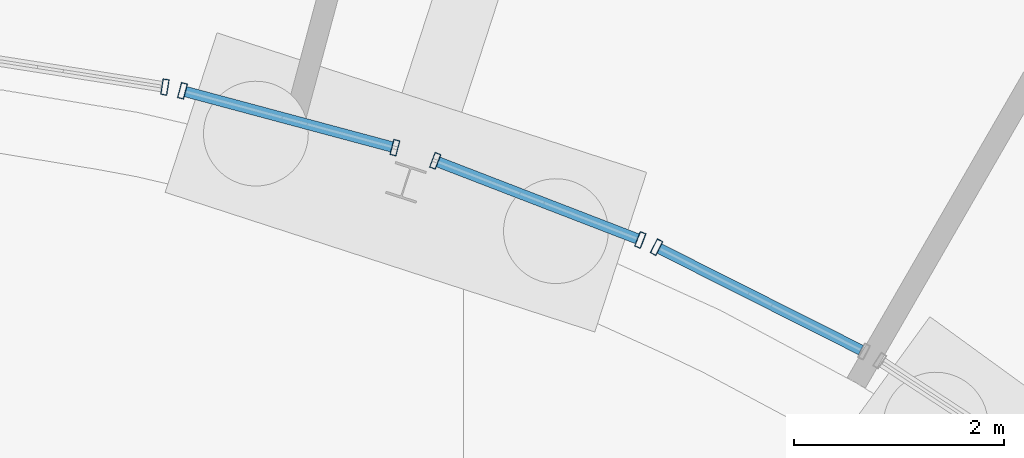
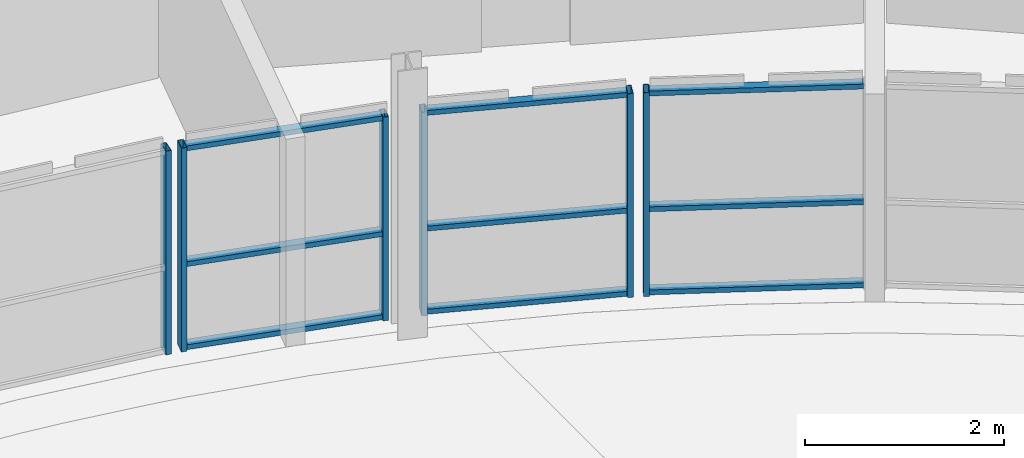
# One storey, part 65 of 130: 15 members, 4 elements without a shape of their own.
"""IFC4 building model written with IfcOpenShell, lengths in metres."""

from ifc_helpers import new_model, si_unit, direction, frame, origin, origin_2d, place, context, subcontext, project, spatial, hollow_rectangle, extrude, material, material_profile, profile_set, type_object, element, aggregate, save


model = new_model("IFC4")

# Units and contexts
model_context = context("Model", 3, precision=1e-05, world=origin(), true_north=direction((0.0, 1.0)))
body_context = subcontext(model_context, "Body", "Model", "MODEL_VIEW")
ifc_project = project(units=[si_unit("LENGTHUNIT", "METRE"), si_unit("AREAUNIT", "SQUARE_METRE"), si_unit("VOLUMEUNIT", "CUBIC_METRE"), si_unit("PLANEANGLEUNIT", "RADIAN"), si_unit("MASSUNIT", "GRAM", prefix="KILO")], contexts=[model_context])

# Site, building, storey
site_placement = place(None, origin())
site = spatial("IfcSite", under=ifc_project, at=site_placement, CompositionType="ELEMENT")
building_placement = place(site_placement, origin())
building = spatial("IfcBuilding", under=site, at=building_placement, Name="Parallax Yard Mobility Hub", CompositionType="ELEMENT")
storey_placement = place(building_placement, origin())
storey = spatial("IfcBuildingStorey", under=building, at=storey_placement, Name="L00", CompositionType="ELEMENT", Elevation=0.0)

# Curtain wall, member
ifc_material_1 = material(Name="Aluminium and glass curtain wall", Category="aluminium")
curtain_wall_type = type_object("IfcCurtainWallType", Name="Curtain wall, aluminium stick system", PredefinedType="NOTDEFINED", material=ifc_material_1)
curtain_wall_1_placement = place(storey_placement, origin())
curtain_wall_1 = element("IfcCurtainWall", 1, at=curtain_wall_1_placement, inside=storey, type_object=curtain_wall_type, Name="Curtain wall CW25 level L00 bay 18.2", PredefinedType="NOTDEFINED")
ifc_material_2 = material(Name="Aluminium 6063-T6 anodised", Category="aluminium")
ifc_material_profile_1 = material_profile(ifc_material_2, hollow_rectangle(XDim=0.14990234375, YDim=0.06005859375, WallThickness=0.00390625, at=origin_2d()), Name="RHS 60x150x4")
ifc_profile_set_1 = profile_set([ifc_material_profile_1], Name="Aluminium 6063-T6 anodised")
member_type_1 = type_object("IfcMemberType", Name="Curtain wall mullion RHS 60x150x4", PredefinedType="MULLION", material=ifc_profile_set_1)
member_1_placement = place(storey_placement, frame((177.1533203125, 112.30810546875, 0.0), z_axis=(0.0, 0.0, 1.0), x_axis=(0.154806174785, 0.987944860935, 0.0)))
member_1 = element("IfcMember", 2, at=member_1_placement, type_object=member_type_1, Name="CW25 mullion 2", PredefinedType="MULLION", context=body_context, shape_type="SweptSolid", body=[
    extrude(hollow_rectangle(XDim=0.14990234375, YDim=0.06005859375, WallThickness=0.00390625, at=origin_2d()), origin(), (0.0, 0.0, 1.0), 2.5),
])
aggregate(curtain_wall_1, [member_1])

# Curtain wall, members
curtain_wall_2_placement = place(storey_placement, origin())
curtain_wall_2 = element("IfcCurtainWall", 3, at=curtain_wall_2_placement, inside=storey, type_object=curtain_wall_type, Name="Curtain wall CW26 level L00 bay 18.3", PredefinedType="NOTDEFINED")
member_2_placement = place(storey_placement, frame((177.3212890625, 112.2724609375, 0.0), z_axis=(0.0, 0.0, 1.0), x_axis=(0.258824881523, 0.965924262406, 0.0)))
member_2 = element("IfcMember", 4, at=member_2_placement, type_object=member_type_1, Name="CW26 mullion 1", PredefinedType="MULLION", context=body_context, shape_type="SweptSolid", body=[
    extrude(hollow_rectangle(XDim=0.14990234375, YDim=0.06005859375, WallThickness=0.00390625, at=origin_2d()), origin(), (0.0, 0.0, 1.0), 2.5),
])
member_3_placement = place(storey_placement, frame((179.34765625, 111.7294921875, 0.0), z_axis=(0.0, 0.0, 1.0), x_axis=(0.258824881523, 0.965924262406, 0.0)))
member_3 = element("IfcMember", 5, at=member_3_placement, type_object=member_type_1, Name="CW26 mullion 2", PredefinedType="MULLION", context=body_context, shape_type="SweptSolid", body=[
    extrude(hollow_rectangle(XDim=0.14990234375, YDim=0.06005859375, WallThickness=0.00390625, at=origin_2d()), origin(), (0.0, 0.0, 1.0), 2.5),
])

curtain_wall_3_placement = place(storey_placement, origin())
curtain_wall_3 = element("IfcCurtainWall", 6, at=curtain_wall_3_placement, inside=storey, type_object=curtain_wall_type, Name="Curtain wall CW27 level L00 bay 19.1", PredefinedType="NOTDEFINED")
member_4_placement = place(storey_placement, frame((179.732421875, 111.604248046875, 0.0), z_axis=(0.0, 0.0, 1.0), x_axis=(0.359854776777, 0.933008327739, 0.0)))
member_4 = element("IfcMember", 7, at=member_4_placement, type_object=member_type_1, Name="CW27 mullion 1", PredefinedType="MULLION", context=body_context, shape_type="SweptSolid", body=[
    extrude(hollow_rectangle(XDim=0.14990234375, YDim=0.06005859375, WallThickness=0.00390625, at=origin_2d()), origin(), (0.0, 0.0, 1.0), 2.5),
])
member_5_placement = place(storey_placement, frame((181.689453125, 110.849365234375, 0.0), z_axis=(0.0, 0.0, 1.0), x_axis=(0.359854776777, 0.933008327739, 0.0)))
member_5 = element("IfcMember", 8, at=member_5_placement, type_object=member_type_1, Name="CW27 mullion 2", PredefinedType="MULLION", context=body_context, shape_type="SweptSolid", body=[
    extrude(hollow_rectangle(XDim=0.14990234375, YDim=0.06005859375, WallThickness=0.00390625, at=origin_2d()), origin(), (0.0, 0.0, 1.0), 2.5),
])

# Curtain wall, member
curtain_wall_4_placement = place(storey_placement, origin())
curtain_wall_4 = element("IfcCurtainWall", 9, at=curtain_wall_4_placement, inside=storey, type_object=curtain_wall_type, Name="Curtain wall CW28 level L00 bay 19.2", PredefinedType="NOTDEFINED")
member_6_placement = place(storey_placement, frame((181.84423828125, 110.78076171875, 0.0), z_axis=(0.0, 0.0, 1.0), x_axis=(0.449585897223, 0.893237102352, 0.0)))
member_6 = element("IfcMember", 10, at=member_6_placement, type_object=member_type_1, Name="CW28 mullion 1", PredefinedType="MULLION", context=body_context, shape_type="SweptSolid", body=[
    extrude(hollow_rectangle(XDim=0.14990234375, YDim=0.06005859375, WallThickness=0.00390625, at=origin_2d()), origin(), (0.0, 0.0, 1.0), 2.5),
])

# Member
ifc_material_profile_2 = material_profile(ifc_material_2, hollow_rectangle(XDim=0.10009765625, YDim=0.06005859375, WallThickness=0.00390625, at=origin_2d()), Name="RHS 60x100x4")
ifc_profile_set_2 = profile_set([ifc_material_profile_2], Name="Aluminium 6063-T6 anodised")
member_type_2 = type_object("IfcMemberType", Name="Curtain wall transom RHS 60x100x4", PredefinedType="USERDEFINED", material=ifc_profile_set_2)
member_7_placement = place(storey_placement, frame((177.350341796875, 112.2646484375, 0.030029296875), z_axis=(0.965940031166, -0.25876602596, 0.0), x_axis=(0.25876602596, 0.965940031166, 0.0)))
member_7 = element("IfcMember", 11, at=member_7_placement, type_object=member_type_2, Name="CW26 transom 1.1", ObjectType="TRANSOM", PredefinedType="USERDEFINED", context=body_context, shape_type="SweptSolid", body=[
    extrude(hollow_rectangle(XDim=0.10009765625, YDim=0.06005859375, WallThickness=0.00390625, at=origin_2d()), origin(), (0.0, 0.0, 1.0), 2.037841796875),
])

member_8_placement = place(storey_placement, frame((177.350341796875, 112.2646484375, 1.050048828125), z_axis=(0.965940031166, -0.25876602596, 0.0), x_axis=(0.25876602596, 0.965940031166, 0.0)))
member_8 = element("IfcMember", 12, at=member_8_placement, type_object=member_type_2, Name="CW26 transom 1.2", ObjectType="TRANSOM", PredefinedType="USERDEFINED", context=body_context, shape_type="SweptSolid", body=[
    extrude(hollow_rectangle(XDim=0.10009765625, YDim=0.06005859375, WallThickness=0.00390625, at=origin_2d()), origin(), (0.0, 0.0, 1.0), 2.037841796875),
])

member_9_placement = place(storey_placement, frame((177.350341796875, 112.2646484375, 2.469970703125), z_axis=(0.965940031166, -0.25876602596, 0.0), x_axis=(0.25876602596, 0.965940031166, 0.0)))
member_9 = element("IfcMember", 13, at=member_9_placement, type_object=member_type_2, Name="CW26 transom 1.3", ObjectType="TRANSOM", PredefinedType="USERDEFINED", context=body_context, shape_type="SweptSolid", body=[
    extrude(hollow_rectangle(XDim=0.10009765625, YDim=0.06005859375, WallThickness=0.00390625, at=origin_2d()), origin(), (0.0, 0.0, 1.0), 2.037841796875),
])

aggregate(curtain_wall_2, [member_2, member_3, member_7, member_8, member_9])

member_10_placement = place(storey_placement, frame((179.760498046875, 111.593505859375, 0.030029296875), z_axis=(0.932968318398, -0.359958493253, 0.0), x_axis=(0.359958493253, 0.932968318398, 0.0)))
member_10 = element("IfcMember", 14, at=member_10_placement, type_object=member_type_2, Name="CW27 transom 1.1", ObjectType="TRANSOM", PredefinedType="USERDEFINED", context=body_context, shape_type="SweptSolid", body=[
    extrude(hollow_rectangle(XDim=0.10009765625, YDim=0.06005859375, WallThickness=0.00390625, at=origin_2d()), origin(), (0.0, 0.0, 1.0), 2.037353515625),
])

member_11_placement = place(storey_placement, frame((179.760498046875, 111.593505859375, 1.050048828125), z_axis=(0.932968318398, -0.359958493253, 0.0), x_axis=(0.359958493253, 0.932968318398, 0.0)))
member_11 = element("IfcMember", 15, at=member_11_placement, type_object=member_type_2, Name="CW27 transom 1.2", ObjectType="TRANSOM", PredefinedType="USERDEFINED", context=body_context, shape_type="SweptSolid", body=[
    extrude(hollow_rectangle(XDim=0.10009765625, YDim=0.06005859375, WallThickness=0.00390625, at=origin_2d()), origin(), (0.0, 0.0, 1.0), 2.037353515625),
])

member_12_placement = place(storey_placement, frame((179.760498046875, 111.593505859375, 2.469970703125), z_axis=(0.932968318398, -0.359958493253, 0.0), x_axis=(0.359958493253, 0.932968318398, 0.0)))
member_12 = element("IfcMember", 16, at=member_12_placement, type_object=member_type_2, Name="CW27 transom 1.3", ObjectType="TRANSOM", PredefinedType="USERDEFINED", context=body_context, shape_type="SweptSolid", body=[
    extrude(hollow_rectangle(XDim=0.10009765625, YDim=0.06005859375, WallThickness=0.00390625, at=origin_2d()), origin(), (0.0, 0.0, 1.0), 2.037353515625),
])

aggregate(curtain_wall_3, [member_4, member_5, member_10, member_11, member_12])

member_13_placement = place(storey_placement, frame((181.87109375, 110.767333984375, 0.030029296875), z_axis=(0.893222879024, -0.449614155013, 0.0), x_axis=(0.449614155013, 0.893222879024, 0.0)))
member_13 = element("IfcMember", 17, at=member_13_placement, type_object=member_type_2, Name="CW28 transom 1.1", ObjectType="TRANSOM", PredefinedType="USERDEFINED", context=body_context, shape_type="SweptSolid", body=[
    extrude(hollow_rectangle(XDim=0.10009765625, YDim=0.06005859375, WallThickness=0.00390625, at=origin_2d()), origin(), (0.0, 0.0, 1.0), 2.154541015625),
])

member_14_placement = place(storey_placement, frame((181.87109375, 110.767333984375, 1.050048828125), z_axis=(0.893222879024, -0.449614155013, 0.0), x_axis=(0.449614155013, 0.893222879024, 0.0)))
member_14 = element("IfcMember", 18, at=member_14_placement, type_object=member_type_2, Name="CW28 transom 1.2", ObjectType="TRANSOM", PredefinedType="USERDEFINED", context=body_context, shape_type="SweptSolid", body=[
    extrude(hollow_rectangle(XDim=0.10009765625, YDim=0.06005859375, WallThickness=0.00390625, at=origin_2d()), origin(), (0.0, 0.0, 1.0), 2.154541015625),
])

member_15_placement = place(storey_placement, frame((181.87109375, 110.767333984375, 2.469970703125), z_axis=(0.893222879024, -0.449614155013, 0.0), x_axis=(0.449614155013, 0.893222879024, 0.0)))
member_15 = element("IfcMember", 19, at=member_15_placement, type_object=member_type_2, Name="CW28 transom 1.3", ObjectType="TRANSOM", PredefinedType="USERDEFINED", context=body_context, shape_type="SweptSolid", body=[
    extrude(hollow_rectangle(XDim=0.10009765625, YDim=0.06005859375, WallThickness=0.00390625, at=origin_2d()), origin(), (0.0, 0.0, 1.0), 2.154541015625),
])

aggregate(curtain_wall_4, [member_6, member_13, member_14, member_15])

save(model, "model.ifc")
